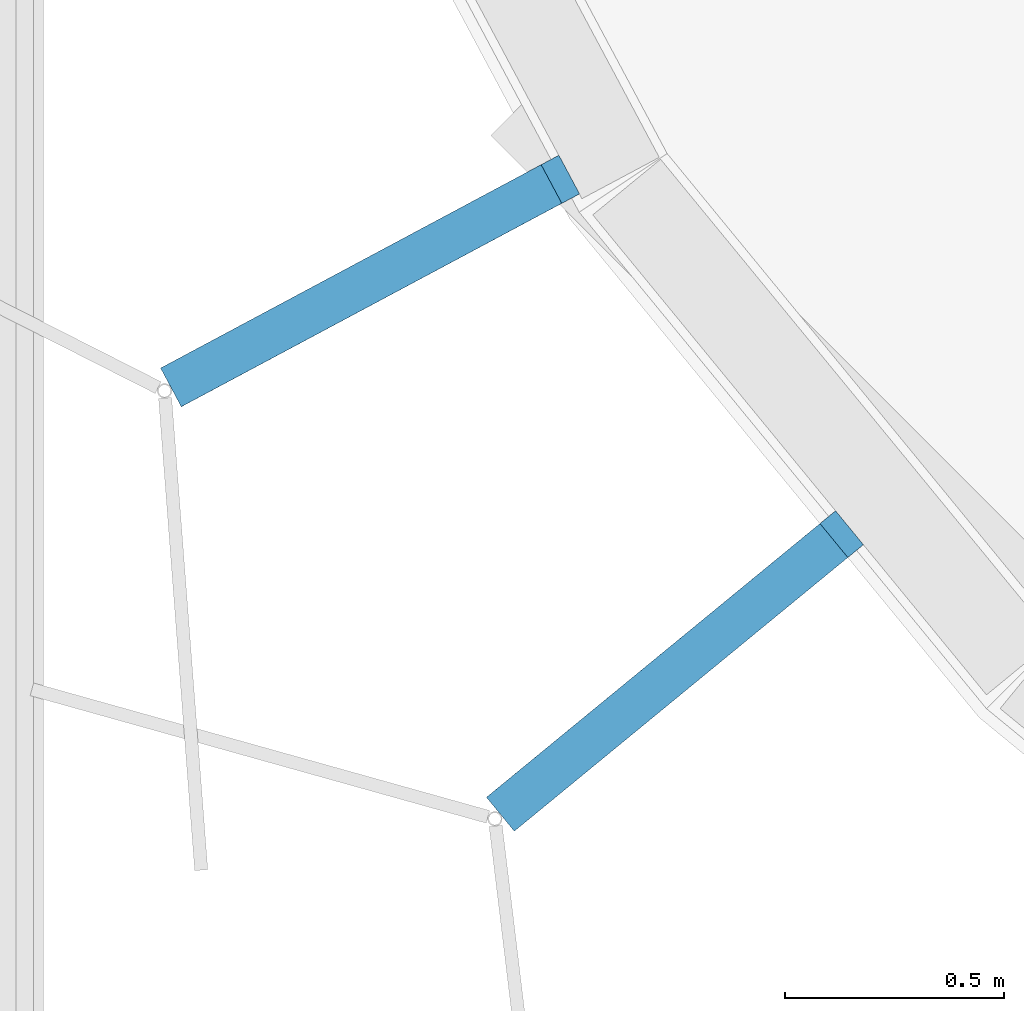
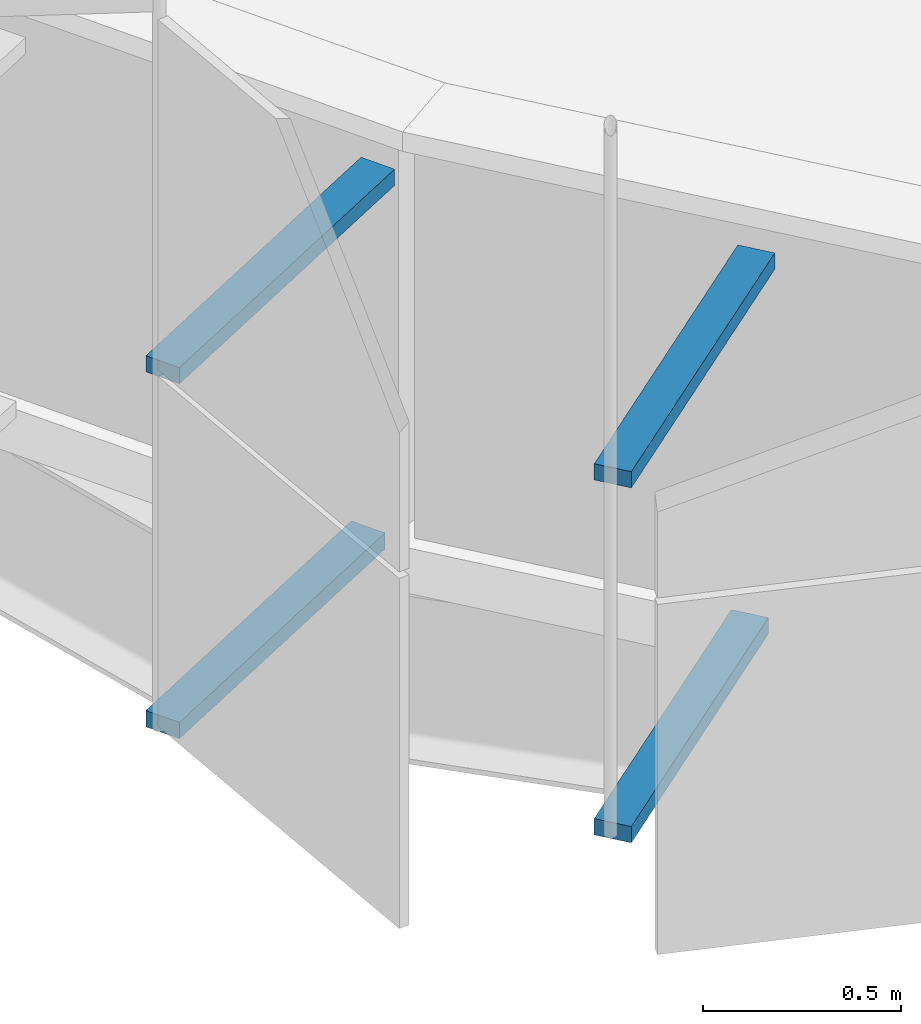
# One storey, part 168 of 483: 4 discrete accessories.
"""IFC4 building model written with IfcOpenShell, lengths in metres."""

from ifc_helpers import new_model, si_unit, direction, frame, origin, origin_2d, place, context, subcontext, project, spatial, rectangle, extrude, material, type_object, element, save


model = new_model("IFC4")

# Units and contexts
model_context = context("Model", 3, precision=1e-05, world=origin(), true_north=direction((0.0, 1.0)))
body_context = subcontext(model_context, "Body", "Model", "MODEL_VIEW")
ifc_project = project(units=[si_unit("LENGTHUNIT", "METRE"), si_unit("AREAUNIT", "SQUARE_METRE"), si_unit("VOLUMEUNIT", "CUBIC_METRE"), si_unit("PLANEANGLEUNIT", "RADIAN"), si_unit("MASSUNIT", "GRAM", prefix="KILO")], contexts=[model_context])

# Site, building, storey
site_placement = place(None, origin())
site = spatial("IfcSite", under=ifc_project, at=site_placement, CompositionType="ELEMENT")
building_placement = place(site_placement, origin())
building = spatial("IfcBuilding", under=site, at=building_placement, Name="Parallax Yard Mobility Hub", CompositionType="ELEMENT")
storey_placement = place(building_placement, frame((0.0, 0.0, 13.199951171875)))
storey = spatial("IfcBuildingStorey", under=building, at=storey_placement, Name="L04", CompositionType="ELEMENT", Elevation=13.199951171875)

# Discrete accessories
ifc_material = material(Name="Steel ASTM A36, hot-dip galvanised", Category="steel")
discrete_accessory_type = type_object("IfcDiscreteAccessoryType", Name="Hinge bracket plate 100x50", PredefinedType="BRACKET", material=ifc_material)
discrete_accessory_1_placement = place(storey_placement, frame((195.787841796875, 25.681396484375, -0.02490234375), z_axis=(0.0, 0.0, 1.0), x_axis=(-0.881921264348, -0.471396736826, 0.0)))
element("IfcDiscreteAccessory", 1, at=discrete_accessory_1_placement, inside=storey, type_object=discrete_accessory_type, Name="Hinge bracket plate bay 30.5 level L04", PredefinedType="BRACKET", context=body_context, shape_type="SweptSolid", body=[
    extrude(rectangle(XDim=0.984130859375, YDim=0.10009765625, at=origin_2d()), origin(), (0.0, 0.0, 1.0), 0.050048828125),
])
discrete_accessory_2_placement = place(storey_placement, frame((195.80810546875, 25.692138671875, 1.06982421875), z_axis=(0.0, 0.0, 1.0), x_axis=(-0.881921264348, -0.471396736826, 0.0)))
element("IfcDiscreteAccessory", 2, at=discrete_accessory_2_placement, inside=storey, type_object=discrete_accessory_type, Name="Hinge bracket plate bay 30.5 level L04", PredefinedType="BRACKET", context=body_context, shape_type="SweptSolid", body=[
    extrude(rectangle(XDim=1.030029296875, YDim=0.10009765625, at=origin_2d()), origin(), (0.0, 0.0, 1.0), 0.050048828125),
])
discrete_accessory_3_placement = place(storey_placement, frame((196.485595703125, 24.7880859375, -0.02490234375), z_axis=(0.0, 0.0, 1.0), x_axis=(-0.773010453363, -0.634393284164, 0.0)))
element("IfcDiscreteAccessory", 3, at=discrete_accessory_3_placement, inside=storey, type_object=discrete_accessory_type, Name="Hinge bracket plate bay 30.6 level L04", PredefinedType="BRACKET", context=body_context, shape_type="SweptSolid", body=[
    extrude(rectangle(XDim=0.984130859375, YDim=0.10009765625, at=origin_2d()), origin(), (0.0, 0.0, 1.0), 0.050048828125),
])
discrete_accessory_4_placement = place(storey_placement, frame((196.50341796875, 24.802734375, 1.06982421875), z_axis=(0.0, 0.0, 1.0), x_axis=(-0.773010453363, -0.634393284164, 0.0)))
element("IfcDiscreteAccessory", 4, at=discrete_accessory_4_placement, inside=storey, type_object=discrete_accessory_type, Name="Hinge bracket plate bay 30.6 level L04", PredefinedType="BRACKET", context=body_context, shape_type="SweptSolid", body=[
    extrude(rectangle(XDim=1.030029296875, YDim=0.10009765625, at=origin_2d()), origin(), (0.0, 0.0, 1.0), 0.050048828125),
])

save(model, "model.ifc")
